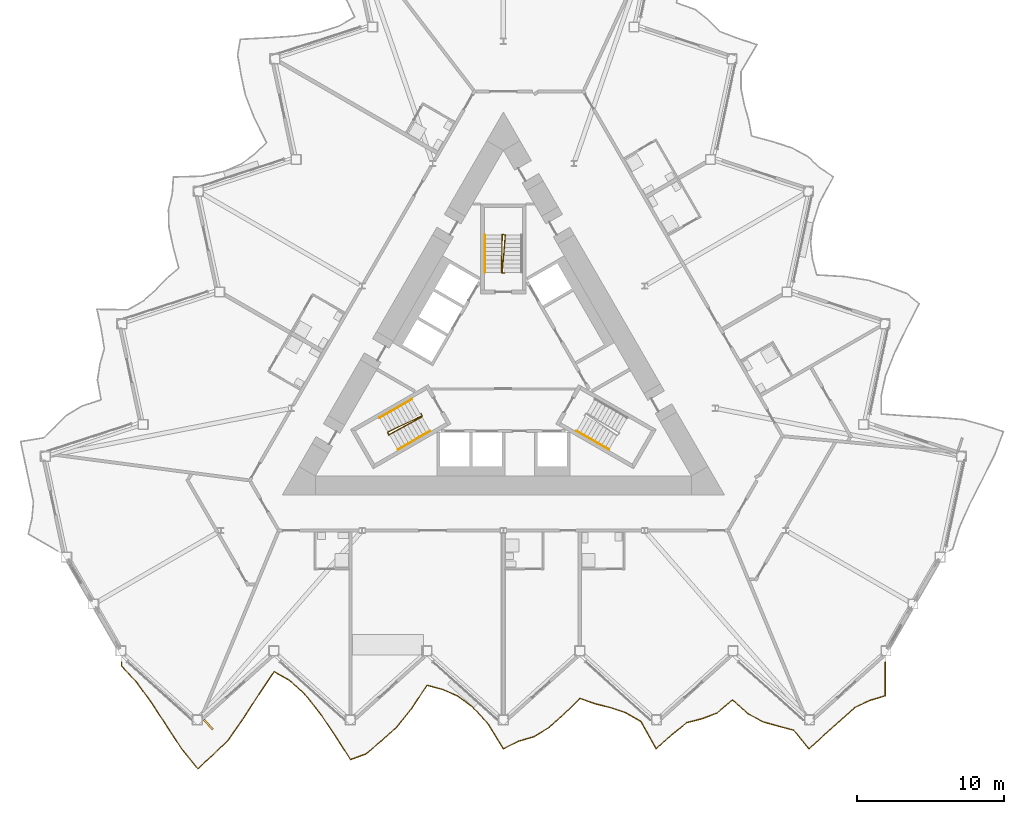
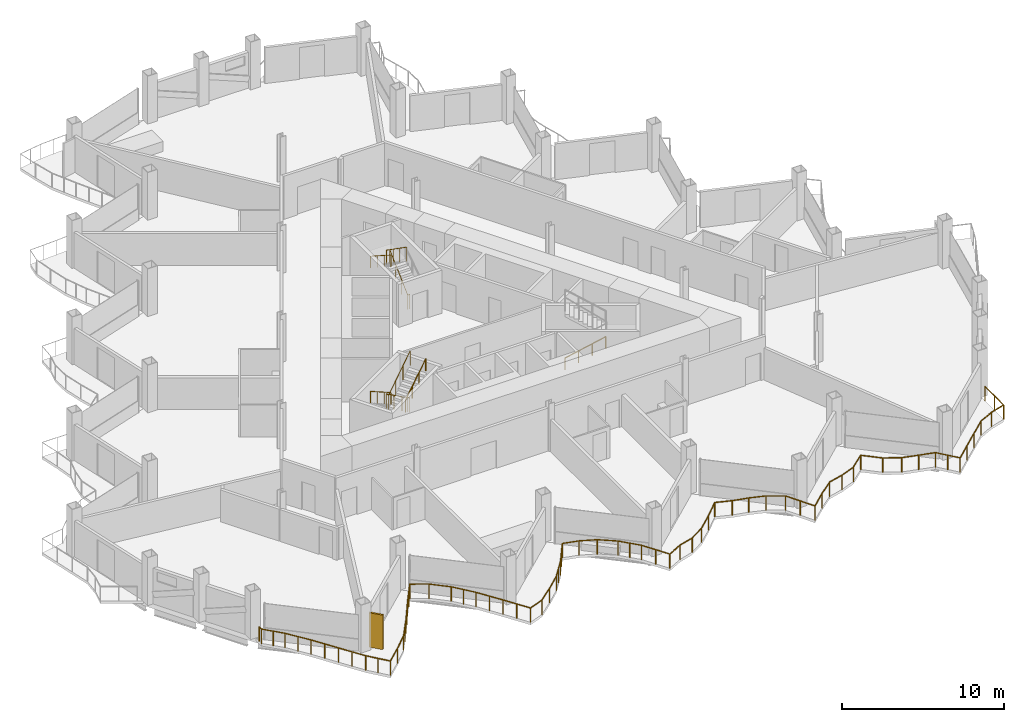
# One storey, part 19 of 23: 7 railings, 1 shading device.
"""IFC4 building model written with IfcOpenShell, lengths in metres."""

import ifcopenshell
import ifcopenshell.guid

model = None  # the IFC model being written
_history = None  # IfcOwnerHistory: only IFC2X3 demands one
_inside = {}  # id of a spatial element -> (the spatial element, [elements in it])
_under = {}  # id of a project, library or spatial element -> (it, [spatial elements below it])
_declared = {}  # id of a project -> (the project, [libraries it declares])
_typed = {}  # id of a type object -> (the type object, [elements of that type])
_made_of = {}  # id of a material, layer set ... -> (it, [elements and type objects made of it])


def new_model(schema):
    """Start an empty IFC model of exactly this schema.

    Asked for "IFC4X3", IfcOpenShell would pick the latest addendum, in which some entities
    have other attributes; the version numbers below select the first issue.
    IFC2X3 requires an IfcOwnerHistory on every rooted entity: one is made here for all.
    """
    global model, _history
    if schema == "IFC4X3":
        model = ifcopenshell.file(schema_version=(4, 3, 0, 0))
    else:
        model = ifcopenshell.file(schema=schema)
    _inside.clear()
    _under.clear()
    _declared.clear()
    _typed.clear()
    _made_of.clear()
    _history = None
    if model.schema == "IFC2X3":
        org = make("IfcOrganization", Name="unknown")
        user = make(
            "IfcPersonAndOrganization",
            ThePerson=make("IfcPerson", FamilyName="unknown"),
            TheOrganization=org,
        )
        app = make(
            "IfcApplication",
            ApplicationDeveloper=org,
            Version="unknown",
            ApplicationFullName="unknown",
            ApplicationIdentifier="unknown",
        )
        _history = make(
            "IfcOwnerHistory",
            OwningUser=user,
            OwningApplication=app,
            ChangeAction="ADDED",
            CreationDate=0,
        )
    return model


def make(cls, **values):
    """One entity of the class cls with the attributes given. An attribute that is None is left unset."""
    return model.create_entity(
        cls, **{name: value for name, value in values.items() if value is not None}
    )


def rooted(cls, **values):
    """An entity with a GlobalId (a new one), such as an element, a storey or a relation."""
    return make(cls, GlobalId=ifcopenshell.guid.new(), OwnerHistory=_history, **values)


def si_unit(unit_type, name, prefix=None):
    """IfcSIUnit, for example si_unit("LENGTHUNIT", "METRE", prefix="MILLI")."""
    return make("IfcSIUnit", UnitType=unit_type, Prefix=prefix, Name=name)


def assignment(units):
    """IfcUnitAssignment: the units of a project."""
    return None if units is None else make("IfcUnitAssignment", Units=units)


def point(xyz):
    """IfcCartesianPoint."""
    return None if xyz is None else make("IfcCartesianPoint", Coordinates=xyz)


def direction(xyz):
    """IfcDirection."""
    return None if xyz is None else make("IfcDirection", DirectionRatios=xyz)


def frame(location, z_axis=None, x_axis=None):
    """IfcAxis2Placement3D, a coordinate frame: its origin and axes. An axis left out is left unset."""
    return make(
        "IfcAxis2Placement3D",
        Location=point(location),
        Axis=direction(z_axis),
        RefDirection=direction(x_axis),
    )


def frame_2d(location, x_axis=None):
    """IfcAxis2Placement2D, a coordinate frame in the plane: its origin and x axis."""
    return make(
        "IfcAxis2Placement2D", Location=point(location), RefDirection=direction(x_axis)
    )


def origin():
    """The frame at (0, 0, 0) with its axes left unset."""
    return frame((0.0, 0.0, 0.0))


def origin_2d():
    """The frame at (0, 0) in the plane with its x axis left unset."""
    return frame_2d((0.0, 0.0))


def place(relative_to, where):
    """IfcLocalPlacement: puts the frame where relative to a parent placement (None: the world)."""
    return make(
        "IfcLocalPlacement", PlacementRelTo=relative_to, RelativePlacement=where
    )


def context(
    kind, dimensions, precision=None, world=None, true_north=None, identifier=None
):
    """IfcGeometricRepresentationContext, for example the 3D "Model" context."""
    return make(
        "IfcGeometricRepresentationContext",
        ContextIdentifier=identifier,
        ContextType=kind,
        CoordinateSpaceDimension=dimensions,
        Precision=precision,
        WorldCoordinateSystem=world,
        TrueNorth=true_north,
    )


def subcontext(parent, identifier, kind, view, scale=None):
    """IfcGeometricRepresentationSubContext, for example "Body" below "Model"."""
    return make(
        "IfcGeometricRepresentationSubContext",
        ContextIdentifier=identifier,
        ContextType=kind,
        ParentContext=parent,
        TargetScale=scale,
        TargetView=view,
    )


def project(units=None, contexts=None):
    """IfcProject with its units and contexts."""
    return rooted(
        "IfcProject",
        Name="project",
        RepresentationContexts=contexts,
        UnitsInContext=assignment(units),
    )


def spatial(cls, under=None, at=None, **own):
    """A site, building, storey or space (cls), placed at a placement, below another one or the project."""
    s = rooted(cls, ObjectPlacement=at, **own)
    if under is not None:
        _under.setdefault(under.id(), (under, []))[1].append(s)
    return s


def profile(cls, at=None, kind="AREA", **sizes):
    """A parametric profile (cls). Its sizes go by their IFC names, for example OverallWidth=200.0."""
    return make(cls, ProfileType=kind, Position=at, **sizes)


def rectangle(**sizes):
    """IfcRectangleProfileDef."""
    return profile("IfcRectangleProfileDef", **sizes)


def circle(**sizes):
    """IfcCircleProfileDef."""
    return profile("IfcCircleProfileDef", **sizes)


def extrude(swept, where, along, depth):
    """IfcExtrudedAreaSolid: the profile swept, set in the frame where, extruded along a direction by depth."""
    return make(
        "IfcExtrudedAreaSolid",
        SweptArea=swept,
        Position=where,
        ExtrudedDirection=direction(along),
        Depth=depth,
    )


def shape(context_of_items, identifier, shape_type, items):
    """IfcShapeRepresentation: the items that make up one representation, for example the "Body"."""
    return make(
        "IfcShapeRepresentation",
        ContextOfItems=context_of_items,
        RepresentationIdentifier=identifier,
        RepresentationType=shape_type,
        Items=items,
    )


def material(Name=None, Category=None):
    """IfcMaterial."""
    return make("IfcMaterial", Name=Name, Category=Category)


def layer(
    of_material, thickness, ventilated=None, Name=None, Category=None, Priority=None
):
    """IfcMaterialLayer: one layer of a wall or slab, of a material (None: an air gap)."""
    return make(
        "IfcMaterialLayer",
        Material=of_material,
        LayerThickness=thickness,
        IsVentilated=ventilated,
        Name=Name,
        Category=Category,
        Priority=Priority,
    )


def layer_set(layers, Name=None):
    """IfcMaterialLayerSet."""
    return make("IfcMaterialLayerSet", MaterialLayers=layers, LayerSetName=Name)


def made_of(thing, what):
    """Note that an element or type object is made of a material, layer set ...; save() writes the relation."""
    if what is not None:
        _made_of.setdefault(what.id(), (what, []))[1].append(thing)
    return thing


def type_object(cls, material=None, **own):
    """A type object (cls), such as IfcWallType, which elements share."""
    return made_of(rooted(cls, **own), material)


def element(
    cls,
    number,
    at=None,
    inside=None,
    cuts=None,
    type_object=None,
    material=None,
    context=None,
    identifier="Body",
    shape_type=None,
    held_by="IfcProductDefinitionShape",
    body=None,
    shapes=None,
    **own,
):
    """One element of the class cls, such as IfcWall. Its Tag is "e" and its number.

    at: its placement. inside: the storey or other place that contains it. cuts: it is an
    opening in that element (IfcRelVoidsElement). A single representation is given by context,
    identifier, shape_type and body (its items); several are given by shapes. held_by: the class
    of the entity that holds the representations. save() writes the other relations.
    """
    e = rooted(cls, Tag="e%d" % number, ObjectPlacement=at, **own)
    if body is not None:
        shapes = [shape(context, identifier, shape_type, body)]
    if shapes is not None:
        e.Representation = make(held_by, Representations=shapes)
    if inside is not None:
        _inside.setdefault(inside.id(), (inside, []))[1].append(e)
    if cuts is not None:
        rooted(
            "IfcRelVoidsElement", RelatingBuildingElement=cuts, RelatedOpeningElement=e
        )
    if type_object is not None:
        _typed.setdefault(type_object.id(), (type_object, []))[1].append(e)
    return made_of(e, material)


def aggregate(whole, parts):
    """IfcRelAggregates: a whole, such as a stair, and the parts it consists of."""
    return rooted("IfcRelAggregates", RelatingObject=whole, RelatedObjects=parts)


def save(model, path):
    """Write the relations noted so far, then the file.

    IfcRelAggregates (storeys below a building ...), IfcRelContainedInSpatialStructure (elements
    in a storey), IfcRelDefinesByType, IfcRelAssociatesMaterial and IfcRelDeclares: one each for
    every whole, place, type object, material and project.
    """
    for whole, parts in _under.values():
        aggregate(whole, parts)
    for where, things in _inside.values():
        rooted(
            "IfcRelContainedInSpatialStructure",
            RelatedElements=things,
            RelatingStructure=where,
        )
    for kind, things in _typed.values():
        rooted("IfcRelDefinesByType", RelatedObjects=things, RelatingType=kind)
    for what, things in _made_of.values():
        rooted("IfcRelAssociatesMaterial", RelatedObjects=things, RelatingMaterial=what)
    for by, libraries in _declared.values():
        rooted("IfcRelDeclares", RelatingContext=by, RelatedDefinitions=libraries)
    model.write(path)


model = new_model("IFC4")

# Units and contexts
model_context = context("Model", 3, precision=1e-05, world=origin(), true_north=direction((0.0, 1.0)))
body_context = subcontext(model_context, "Body", "Model", "MODEL_VIEW")
ifc_project = project(units=[si_unit("LENGTHUNIT", "METRE"), si_unit("AREAUNIT", "SQUARE_METRE"), si_unit("VOLUMEUNIT", "CUBIC_METRE"), si_unit("PLANEANGLEUNIT", "RADIAN"), si_unit("MASSUNIT", "GRAM", prefix="KILO")], contexts=[model_context])

# Site, building, storey
site_placement = place(None, origin())
site = spatial("IfcSite", under=ifc_project, at=site_placement, CompositionType="ELEMENT")
building_placement = place(site_placement, origin())
building = spatial("IfcBuilding", under=site, at=building_placement, Name="Cormorant Prow Tower", CompositionType="ELEMENT")
storey_placement = place(building_placement, frame((0.0, 0.0, 256.199951171875)))
storey = spatial("IfcBuildingStorey", under=building, at=storey_placement, Name="L57", CompositionType="ELEMENT", Elevation=256.199951171875)

# Railings
ifc_material_1 = material(Name="Aluminium 6063-T6", Category="aluminium")
railing_type_1 = type_object("IfcRailingType", Name="Balcony guard 1100", PredefinedType="GUARDRAIL", material=ifc_material_1)
railing_1_placement = place(storey_placement, frame((-25.8974609375, -19.973388671875, 0.0)))
element("IfcRailing", 1, at=railing_1_placement, inside=storey, type_object=railing_type_1, Name="Balcony guard S", PredefinedType="GUARDRAIL", context=body_context, shape_type="SweptSolid", body=[
    extrude(circle(Radius=0.02392578125, at=origin_2d()), frame((0.0, 0.0, 1.076171875), z_axis=(0.0, -1.0, 0.0), x_axis=(1.0, 0.0, 0.0)), (0.0, 0.0, 1.0), 0.27001953125),
    extrude(circle(Radius=0.02392578125, at=origin_2d()), frame((0.0, -0.27001953125, 1.076171875), z_axis=(0.680481856102, -0.732764930599, 0.0), x_axis=(0.732764930599, 0.680481856102, 0.0)), (0.0, 0.0, 1.0), 1.522216796875),
    extrude(circle(Radius=0.02392578125, at=origin_2d()), frame((1.035888671875, -1.385498046875, 1.076171875), z_axis=(0.587389439089, -0.809304421616, 0.0), x_axis=(0.809304421616, 0.587389439089, 0.0)), (0.0, 0.0, 1.0), 1.763427734375),
    extrude(circle(Radius=0.02392578125, at=origin_2d()), frame((2.07177734375, -2.812744140625, 1.076171875), z_axis=(0.544735618128, -0.838607838231, 0.0), x_axis=(0.838607838231, 0.544735618128, 0.0)), (0.0, 0.0, 1.0), 1.901611328125),
    extrude(circle(Radius=0.02392578125, at=origin_2d()), frame((3.107666015625, -4.407470703125, 1.076171875), z_axis=(0.551068360191, -0.83446010234, 0.0), x_axis=(0.83446010234, 0.551068360191, 0.0)), (0.0, 0.0, 1.0), 1.8798828125),
    extrude(circle(Radius=0.02392578125, at=origin_2d()), frame((4.1435546875, -5.97607421875, 1.076171875), z_axis=(0.635723007907, -0.771917260603, 0.0), x_axis=(0.771917260603, 0.635723007907, 0.0)), (0.0, 0.0, 1.0), 1.62939453125),
    extrude(circle(Radius=0.02392578125, at=origin_2d()), frame((5.179443359375, -7.23388671875, 1.076171875), z_axis=(0.743093821491, 0.669187247683, 0.0), x_axis=(-0.669187247683, 0.743093821491, 0.0)), (0.0, 0.0, 1.0), 1.39404296875),
    extrude(circle(Radius=0.02392578125, at=origin_2d()), frame((6.21533203125, -6.301025390625, 1.076171875), z_axis=(0.712963473906, 0.701201172899, 0.0), x_axis=(-0.701201172899, 0.712963473906, 0.0)), (0.0, 0.0, 1.0), 1.452880859375),
    extrude(circle(Radius=0.02392578125, at=origin_2d()), frame((7.251220703125, -5.2822265625, 1.076171875), z_axis=(0.571399825957, 0.820671821678, 0.0), x_axis=(-0.820671821678, 0.571399825957, 0.0)), (0.0, 0.0, 1.0), 1.81298828125),
    extrude(circle(Radius=0.02392578125, at=origin_2d()), frame((8.287109375, -3.79443359375, 1.076171875), z_axis=(0.541699329154, 0.840572326926, 0.0), x_axis=(-0.840572326926, 0.541699329154, 0.0)), (0.0, 0.0, 1.0), 1.912353515625),
    extrude(circle(Radius=0.02392578125, at=origin_2d()), frame((9.322998046875, -2.18701171875, 1.076171875), z_axis=(0.560754630421, 0.827982031484, 0.0), x_axis=(-0.827982031484, 0.560754630421, 0.0)), (0.0, 0.0, 1.0), 1.847412109375),
    extrude(circle(Radius=0.02392578125, at=origin_2d()), frame((10.35888671875, -0.657470703125, 1.076171875), z_axis=(0.869702561761, -0.493576188715, 0.0), x_axis=(0.493576188715, 0.869702561761, 0.0)), (0.0, 0.0, 1.0), 1.191162109375),
    extrude(circle(Radius=0.02392578125, at=origin_2d()), frame((11.394775390625, -1.245361328125, 1.076171875), z_axis=(0.740224191917, -0.672360130957, 0.0), x_axis=(0.672360130957, 0.740224191917, 0.0)), (0.0, 0.0, 1.0), 1.3994140625),
    extrude(circle(Radius=0.02392578125, at=origin_2d()), frame((12.4306640625, -2.186279296875, 1.076171875), z_axis=(0.625755603892, -0.780019181943, 0.0), x_axis=(0.780019181943, 0.625755603892, 0.0)), (0.0, 0.0, 1.0), 1.655517578125),
    extrude(circle(Radius=0.02392578125, at=origin_2d()), frame((13.466552734375, -3.4775390625, 1.076171875), z_axis=(0.558918446338, -0.829222630144, 0.0), x_axis=(0.829222630144, 0.558918446338, 0.0)), (0.0, 0.0, 1.0), 1.853271484375),
    extrude(circle(Radius=0.02392578125, at=origin_2d()), frame((14.50244140625, -5.014404296875, 1.076171875), z_axis=(0.542080319834, -0.840326678649, 0.0), x_axis=(0.840326678649, 0.542080319834, 0.0)), (0.0, 0.0, 1.0), 1.911376953125),
    extrude(circle(Radius=0.02392578125, at=origin_2d()), frame((15.53857421875, -6.62060546875, 1.076171875), z_axis=(0.936773013032, 0.349937597373, 0.0), x_axis=(-0.349937597373, 0.936773013032, 0.0)), (0.0, 0.0, 1.0), 1.105712890625),
    extrude(circle(Radius=0.02392578125, at=origin_2d()), frame((16.574462890625, -6.233642578125, 1.076171875), z_axis=(0.767494280324, 0.641055792946, 0.0), x_axis=(-0.641055792946, 0.767494280324, 0.0)), (0.0, 0.0, 1.0), 1.349609375),
    extrude(circle(Radius=0.02392578125, at=origin_2d()), frame((17.6103515625, -5.368408203125, 1.076171875), z_axis=(0.743093821491, 0.669187247683, 0.0), x_axis=(-0.669187247683, 0.743093821491, 0.0)), (0.0, 0.0, 1.0), 1.39404296875),
    extrude(circle(Radius=0.02392578125, at=origin_2d()), frame((18.646240234375, -4.435546875, 1.076171875), z_axis=(0.6284991437, 0.77781027659, 0.0), x_axis=(-0.77781027659, 0.6284991437, 0.0)), (0.0, 0.0, 1.0), 1.648193359375),
    extrude(circle(Radius=0.02392578125, at=origin_2d()), frame((19.68212890625, -3.153564453125, 1.076171875), z_axis=(0.549756895545, 0.83532470082, 0.0), x_axis=(-0.83532470082, 0.549756895545, 0.0)), (0.0, 0.0, 1.0), 1.88427734375),
    extrude(circle(Radius=0.02392578125, at=origin_2d()), frame((20.718017578125, -1.57958984375, 1.076171875), z_axis=(0.966713515695, -0.255861248674, 0.0), x_axis=(0.255861248674, 0.966713515695, 0.0)), (0.0, 0.0, 1.0), 1.071533203125),
    extrude(circle(Radius=0.02392578125, at=origin_2d()), frame((21.75390625, -1.853759765625, 1.076171875), z_axis=(0.917447781883, -0.397856214628, 0.0), x_axis=(0.397856214628, 0.917447781883, 0.0)), (0.0, 0.0, 1.0), 1.129150390625),
    extrude(circle(Radius=0.02392578125, at=origin_2d()), frame((22.789794921875, -2.302978515625, 1.076171875), z_axis=(0.804187958149, -0.594375073475, 0.0), x_axis=(0.594375073475, 0.804187958149, 0.0)), (0.0, 0.0, 1.0), 1.2880859375),
    extrude(circle(Radius=0.02392578125, at=origin_2d()), frame((23.82568359375, -3.068603515625, 1.076171875), z_axis=(0.675465068493, -0.737391986155, 0.0), x_axis=(0.737391986155, 0.675465068493, 0.0)), (0.0, 0.0, 1.0), 1.53369140625),
    extrude(circle(Radius=0.02392578125, at=origin_2d()), frame((24.861572265625, -4.199462890625, 1.076171875), z_axis=(0.523870079516, -0.851798180198, 0.0), x_axis=(0.851798180198, 0.523870079516, 0.0)), (0.0, 0.0, 1.0), 1.977294921875),
    extrude(circle(Radius=0.02392578125, at=origin_2d()), frame((25.8974609375, -5.8837890625, 1.076171875), z_axis=(0.895816294336, 0.444424534428, 0.0), x_axis=(-0.444424534428, 0.895816294336, 0.0)), (0.0, 0.0, 1.0), 1.15625),
    extrude(circle(Radius=0.02392578125, at=origin_2d()), frame((26.933349609375, -5.369873046875, 1.076171875), z_axis=(0.959911268083, 0.28030404458, 0.0), x_axis=(-0.28030404458, 0.959911268083, 0.0)), (0.0, 0.0, 1.0), 1.0791015625),
    extrude(circle(Radius=0.02392578125, at=origin_2d()), frame((27.96923828125, -5.0673828125, 1.076171875), z_axis=(0.853724183098, 0.520725473924, 0.0), x_axis=(-0.520725473924, 0.853724183098, 0.0)), (0.0, 0.0, 1.0), 1.21337890625),
    extrude(circle(Radius=0.02392578125, at=origin_2d()), frame((29.005126953125, -4.435546875, 1.076171875), z_axis=(0.743180914128, 0.669090523678, 0.0), x_axis=(-0.669090523678, 0.743180914128, 0.0)), (0.0, 0.0, 1.0), 1.393798828125),
    extrude(circle(Radius=0.02392578125, at=origin_2d()), frame((30.041015625, -3.5029296875, 1.076171875), z_axis=(0.7063572428, 0.707855525898, 0.0), x_axis=(-0.707855525898, 0.7063572428, 0.0)), (0.0, 0.0, 1.0), 1.466552734375),
    extrude(circle(Radius=0.02392578125, at=origin_2d()), frame((31.076904296875, -2.46484375, 1.076171875), z_axis=(0.94211808637, -0.335281242145, 0.0), x_axis=(0.335281242145, 0.94211808637, 0.0)), (0.0, 0.0, 1.0), 1.099609375),
    extrude(circle(Radius=0.02392578125, at=origin_2d()), frame((32.11279296875, -2.83349609375, 1.076171875), z_axis=(0.970504690177, -0.241082239794, 0.0), x_axis=(0.241082239794, 0.970504690177, 0.0)), (0.0, 0.0, 1.0), 1.0673828125),
    extrude(circle(Radius=0.02392578125, at=origin_2d()), frame((33.148681640625, -3.0908203125, 1.076171875), z_axis=(0.949174297029, -0.314750939411, 0.0), x_axis=(0.314750939411, 0.949174297029, 0.0)), (0.0, 0.0, 1.0), 1.09130859375),
    extrude(circle(Radius=0.02392578125, at=origin_2d()), frame((34.1845703125, -3.434326171875, 1.076171875), z_axis=(0.864583362877, -0.502489411467, 0.0), x_axis=(0.502489411467, 0.864583362877, 0.0)), (0.0, 0.0, 1.0), 1.1982421875),
    extrude(circle(Radius=0.02392578125, at=origin_2d()), frame((35.220458984375, -4.036376953125, 1.076171875), z_axis=(0.489084165063, -0.872236596048, 0.0), x_axis=(0.872236596048, 0.489084165063, 0.0)), (0.0, 0.0, 1.0), 2.117919921875),
    extrude(circle(Radius=0.02392578125, at=origin_2d()), frame((36.25634765625, -5.8837890625, 1.076171875), z_axis=(0.743172233243, 0.669100165698, 0.0), x_axis=(-0.669100165698, 0.743172233243, 0.0)), (0.0, 0.0, 1.0), 1.394287109375),
    extrude(circle(Radius=0.02392578125, at=origin_2d()), frame((37.29248046875, -4.950927734375, 1.076171875), z_axis=(0.776779953516, 0.629772104666, 0.0), x_axis=(-0.629772104666, 0.776779953516, 0.0)), (0.0, 0.0, 1.0), 1.33349609375),
    extrude(circle(Radius=0.02392578125, at=origin_2d()), frame((38.328369140625, -4.111083984375, 1.076171875), z_axis=(0.969697239778, 0.244309768872, 0.0), x_axis=(-0.244309768872, 0.969697239778, 0.0)), (0.0, 0.0, 1.0), 1.068359375),
    extrude(circle(Radius=0.02392578125, at=origin_2d()), frame((39.3642578125, -3.85009765625, 1.076171875), z_axis=(0.933928683632, 0.357459387749, 0.0), x_axis=(-0.357459387749, 0.933928683632, 0.0)), (0.0, 0.0, 1.0), 1.109130859375),
    extrude(circle(Radius=0.02392578125, at=origin_2d()), frame((40.400146484375, -3.45361328125, 1.076171875), z_axis=(0.760836555937, 0.648943553131, 0.0), x_axis=(-0.648943553131, 0.760836555937, 0.0)), (0.0, 0.0, 1.0), 1.361572265625),
    extrude(circle(Radius=0.02392578125, at=origin_2d()), frame((41.43603515625, -2.570068359375, 1.076171875), z_axis=(0.743093821491, -0.669187247683, 0.0), x_axis=(0.669187247683, 0.743093821491, 0.0)), (0.0, 0.0, 1.0), 1.39404296875),
    extrude(circle(Radius=0.02392578125, at=origin_2d()), frame((42.471923828125, -3.5029296875, 1.076171875), z_axis=(0.880271170731, -0.474470932703, 0.0), x_axis=(0.474470932703, 0.880271170731, 0.0)), (0.0, 0.0, 1.0), 1.1767578125),
    extrude(circle(Radius=0.02392578125, at=origin_2d()), frame((43.5078125, -4.061279296875, 1.076171875), z_axis=(0.963787522925, -0.266671353268, 0.0), x_axis=(0.266671353268, 0.963787522925, 0.0)), (0.0, 0.0, 1.0), 1.07470703125),
    extrude(circle(Radius=0.02392578125, at=origin_2d()), frame((44.543701171875, -4.347900390625, 1.076171875), z_axis=(0.965806701137, -0.259263217675, 0.0), x_axis=(0.259263217675, 0.965806701137, 0.0)), (0.0, 0.0, 1.0), 1.072509765625),
    extrude(circle(Radius=0.02392578125, at=origin_2d()), frame((45.57958984375, -4.6259765625, 1.076171875), z_axis=(0.635723007907, -0.771917260603, 0.0), x_axis=(0.771917260603, 0.635723007907, 0.0)), (0.0, 0.0, 1.0), 1.62939453125),
    extrude(circle(Radius=0.02392578125, at=origin_2d()), frame((46.615478515625, -5.8837890625, 1.076171875), z_axis=(0.743093821491, 0.669187247683, 0.0), x_axis=(-0.669187247683, 0.743093821491, 0.0)), (0.0, 0.0, 1.0), 1.39404296875),
    extrude(circle(Radius=0.02392578125, at=origin_2d()), frame((47.6513671875, -4.950927734375, 1.076171875), z_axis=(0.743180914128, 0.669090523678, 0.0), x_axis=(-0.669090523678, 0.743180914128, 0.0)), (0.0, 0.0, 1.0), 1.393798828125),
    extrude(circle(Radius=0.02392578125, at=origin_2d()), frame((48.687255859375, -4.018310546875, 1.076171875), z_axis=(0.743180914128, 0.669090523678, 0.0), x_axis=(-0.669090523678, 0.743180914128, 0.0)), (0.0, 0.0, 1.0), 1.393798828125),
    extrude(circle(Radius=0.02392578125, at=origin_2d()), frame((49.72314453125, -3.085693359375, 1.076171875), z_axis=(0.90586107613, 0.423574917521, 0.0), x_axis=(-0.423574917521, 0.90586107613, 0.0)), (0.0, 0.0, 1.0), 1.1435546875),
    extrude(circle(Radius=0.02392578125, at=origin_2d()), frame((50.759033203125, -2.601318359375, 1.076171875), z_axis=(0.958439578878, 0.285295589942, 0.0), x_axis=(-0.285295589942, 0.958439578878, 0.0)), (0.0, 0.0, 1.0), 1.080810546875),
    extrude(circle(Radius=0.02392578125, at=origin_2d()), frame((51.794921875, -2.29296875, 1.076171875), z_axis=(0.0, 1.0, 0.0), x_axis=(-1.0, 0.0, 0.0)), (0.0, 0.0, 1.0), 2.29296875),
    extrude(circle(Radius=0.02099609375, at=origin_2d()), origin(), (0.0, 0.0, 1.0), 1.052001953125),
    extrude(circle(Radius=0.02099609375, at=origin_2d()), frame((0.0, -0.27001953125, 0.0)), (0.0, 0.0, 1.0), 1.052001953125),
    extrude(circle(Radius=0.02099609375, at=origin_2d()), frame((0.51806640625, -0.82763671875, 0.0)), (0.0, 0.0, 1.0), 1.052001953125),
    extrude(circle(Radius=0.02099609375, at=origin_2d()), frame((1.035888671875, -1.385498046875, 0.0)), (0.0, 0.0, 1.0), 1.052001953125),
    extrude(circle(Radius=0.02099609375, at=origin_2d()), frame((1.5537109375, -2.09912109375, 0.0)), (0.0, 0.0, 1.0), 1.052001953125),
    extrude(circle(Radius=0.02099609375, at=origin_2d()), frame((2.07177734375, -2.812744140625, 0.0)), (0.0, 0.0, 1.0), 1.052001953125),
    extrude(circle(Radius=0.02099609375, at=origin_2d()), frame((2.58984375, -3.610107421875, 0.0)), (0.0, 0.0, 1.0), 1.052001953125),
    extrude(circle(Radius=0.02099609375, at=origin_2d()), frame((3.107666015625, -4.407470703125, 0.0)), (0.0, 0.0, 1.0), 1.052001953125),
    extrude(circle(Radius=0.02099609375, at=origin_2d()), frame((3.62548828125, -5.19189453125, 0.0)), (0.0, 0.0, 1.0), 1.052001953125),
    extrude(circle(Radius=0.02099609375, at=origin_2d()), frame((4.1435546875, -5.97607421875, 0.0)), (0.0, 0.0, 1.0), 1.052001953125),
    extrude(circle(Radius=0.02099609375, at=origin_2d()), frame((4.66162109375, -6.60498046875, 0.0)), (0.0, 0.0, 1.0), 1.052001953125),
    extrude(circle(Radius=0.02099609375, at=origin_2d()), frame((5.179443359375, -7.23388671875, 0.0)), (0.0, 0.0, 1.0), 1.052001953125),
    extrude(circle(Radius=0.02099609375, at=origin_2d()), frame((6.21533203125, -6.301025390625, 0.0)), (0.0, 0.0, 1.0), 1.052001953125),
    extrude(circle(Radius=0.02099609375, at=origin_2d()), frame((7.251220703125, -5.2822265625, 0.0)), (0.0, 0.0, 1.0), 1.052001953125),
    extrude(circle(Radius=0.02099609375, at=origin_2d()), frame((7.76904296875, -4.538330078125, 0.0)), (0.0, 0.0, 1.0), 1.052001953125),
    extrude(circle(Radius=0.02099609375, at=origin_2d()), frame((8.287109375, -3.79443359375, 0.0)), (0.0, 0.0, 1.0), 1.052001953125),
    extrude(circle(Radius=0.02099609375, at=origin_2d()), frame((8.80517578125, -2.99072265625, 0.0)), (0.0, 0.0, 1.0), 1.052001953125),
    extrude(circle(Radius=0.02099609375, at=origin_2d()), frame((9.322998046875, -2.18701171875, 0.0)), (0.0, 0.0, 1.0), 1.052001953125),
    extrude(circle(Radius=0.02099609375, at=origin_2d()), frame((9.8408203125, -1.42236328125, 0.0)), (0.0, 0.0, 1.0), 1.052001953125),
    extrude(circle(Radius=0.02099609375, at=origin_2d()), frame((10.35888671875, -0.657470703125, 0.0)), (0.0, 0.0, 1.0), 1.052001953125),
    extrude(circle(Radius=0.02099609375, at=origin_2d()), frame((11.394775390625, -1.245361328125, 0.0)), (0.0, 0.0, 1.0), 1.052001953125),
    extrude(circle(Radius=0.02099609375, at=origin_2d()), frame((12.4306640625, -2.186279296875, 0.0)), (0.0, 0.0, 1.0), 1.052001953125),
    extrude(circle(Radius=0.02099609375, at=origin_2d()), frame((12.94873046875, -2.83203125, 0.0)), (0.0, 0.0, 1.0), 1.052001953125),
    extrude(circle(Radius=0.02099609375, at=origin_2d()), frame((13.466552734375, -3.4775390625, 0.0)), (0.0, 0.0, 1.0), 1.052001953125),
    extrude(circle(Radius=0.02099609375, at=origin_2d()), frame((13.984375, -4.24609375, 0.0)), (0.0, 0.0, 1.0), 1.052001953125),
    extrude(circle(Radius=0.02099609375, at=origin_2d()), frame((14.50244140625, -5.014404296875, 0.0)), (0.0, 0.0, 1.0), 1.052001953125),
    extrude(circle(Radius=0.02099609375, at=origin_2d()), frame((15.0205078125, -5.8173828125, 0.0)), (0.0, 0.0, 1.0), 1.052001953125),
    extrude(circle(Radius=0.02099609375, at=origin_2d()), frame((15.53857421875, -6.62060546875, 0.0)), (0.0, 0.0, 1.0), 1.052001953125),
    extrude(circle(Radius=0.02099609375, at=origin_2d()), frame((16.574462890625, -6.233642578125, 0.0)), (0.0, 0.0, 1.0), 1.052001953125),
    extrude(circle(Radius=0.02099609375, at=origin_2d()), frame((17.6103515625, -5.368408203125, 0.0)), (0.0, 0.0, 1.0), 1.052001953125),
    extrude(circle(Radius=0.02099609375, at=origin_2d()), frame((18.646240234375, -4.435546875, 0.0)), (0.0, 0.0, 1.0), 1.052001953125),
    extrude(circle(Radius=0.02099609375, at=origin_2d()), frame((19.1640625, -3.79443359375, 0.0)), (0.0, 0.0, 1.0), 1.052001953125),
    extrude(circle(Radius=0.02099609375, at=origin_2d()), frame((19.68212890625, -3.153564453125, 0.0)), (0.0, 0.0, 1.0), 1.052001953125),
    extrude(circle(Radius=0.02099609375, at=origin_2d()), frame((20.2001953125, -2.36669921875, 0.0)), (0.0, 0.0, 1.0), 1.052001953125),
    extrude(circle(Radius=0.02099609375, at=origin_2d()), frame((20.718017578125, -1.57958984375, 0.0)), (0.0, 0.0, 1.0), 1.052001953125),
    extrude(circle(Radius=0.02099609375, at=origin_2d()), frame((21.75390625, -1.853759765625, 0.0)), (0.0, 0.0, 1.0), 1.052001953125),
    extrude(circle(Radius=0.02099609375, at=origin_2d()), frame((22.789794921875, -2.302978515625, 0.0)), (0.0, 0.0, 1.0), 1.052001953125),
    extrude(circle(Radius=0.02099609375, at=origin_2d()), frame((23.82568359375, -3.068603515625, 0.0)), (0.0, 0.0, 1.0), 1.052001953125),
    extrude(circle(Radius=0.02099609375, at=origin_2d()), frame((24.34375, -3.634033203125, 0.0)), (0.0, 0.0, 1.0), 1.052001953125),
    extrude(circle(Radius=0.02099609375, at=origin_2d()), frame((24.861572265625, -4.199462890625, 0.0)), (0.0, 0.0, 1.0), 1.052001953125),
    extrude(circle(Radius=0.02099609375, at=origin_2d()), frame((25.37939453125, -5.04150390625, 0.0)), (0.0, 0.0, 1.0), 1.052001953125),
    extrude(circle(Radius=0.02099609375, at=origin_2d()), frame((25.8974609375, -5.8837890625, 0.0)), (0.0, 0.0, 1.0), 1.052001953125),
    extrude(circle(Radius=0.02099609375, at=origin_2d()), frame((26.933349609375, -5.369873046875, 0.0)), (0.0, 0.0, 1.0), 1.052001953125),
    extrude(circle(Radius=0.02099609375, at=origin_2d()), frame((27.96923828125, -5.0673828125, 0.0)), (0.0, 0.0, 1.0), 1.052001953125),
    extrude(circle(Radius=0.02099609375, at=origin_2d()), frame((29.005126953125, -4.435546875, 0.0)), (0.0, 0.0, 1.0), 1.052001953125),
    extrude(circle(Radius=0.02099609375, at=origin_2d()), frame((30.041015625, -3.5029296875, 0.0)), (0.0, 0.0, 1.0), 1.052001953125),
    extrude(circle(Radius=0.02099609375, at=origin_2d()), frame((31.076904296875, -2.46484375, 0.0)), (0.0, 0.0, 1.0), 1.052001953125),
    extrude(circle(Radius=0.02099609375, at=origin_2d()), frame((32.11279296875, -2.83349609375, 0.0)), (0.0, 0.0, 1.0), 1.052001953125),
    extrude(circle(Radius=0.02099609375, at=origin_2d()), frame((33.148681640625, -3.0908203125, 0.0)), (0.0, 0.0, 1.0), 1.052001953125),
    extrude(circle(Radius=0.02099609375, at=origin_2d()), frame((34.1845703125, -3.434326171875, 0.0)), (0.0, 0.0, 1.0), 1.052001953125),
    extrude(circle(Radius=0.02099609375, at=origin_2d()), frame((35.220458984375, -4.036376953125, 0.0)), (0.0, 0.0, 1.0), 1.052001953125),
    extrude(circle(Radius=0.02099609375, at=origin_2d()), frame((35.73828125, -4.9599609375, 0.0)), (0.0, 0.0, 1.0), 1.052001953125),
    extrude(circle(Radius=0.02099609375, at=origin_2d()), frame((36.25634765625, -5.8837890625, 0.0)), (0.0, 0.0, 1.0), 1.052001953125),
    extrude(circle(Radius=0.02099609375, at=origin_2d()), frame((37.29248046875, -4.950927734375, 0.0)), (0.0, 0.0, 1.0), 1.052001953125),
    extrude(circle(Radius=0.02099609375, at=origin_2d()), frame((38.328369140625, -4.111083984375, 0.0)), (0.0, 0.0, 1.0), 1.052001953125),
    extrude(circle(Radius=0.02099609375, at=origin_2d()), frame((39.3642578125, -3.85009765625, 0.0)), (0.0, 0.0, 1.0), 1.052001953125),
    extrude(circle(Radius=0.02099609375, at=origin_2d()), frame((40.400146484375, -3.45361328125, 0.0)), (0.0, 0.0, 1.0), 1.052001953125),
    extrude(circle(Radius=0.02099609375, at=origin_2d()), frame((41.43603515625, -2.570068359375, 0.0)), (0.0, 0.0, 1.0), 1.052001953125),
    extrude(circle(Radius=0.02099609375, at=origin_2d()), frame((42.471923828125, -3.5029296875, 0.0)), (0.0, 0.0, 1.0), 1.052001953125),
    extrude(circle(Radius=0.02099609375, at=origin_2d()), frame((43.5078125, -4.061279296875, 0.0)), (0.0, 0.0, 1.0), 1.052001953125),
    extrude(circle(Radius=0.02099609375, at=origin_2d()), frame((44.543701171875, -4.347900390625, 0.0)), (0.0, 0.0, 1.0), 1.052001953125),
    extrude(circle(Radius=0.02099609375, at=origin_2d()), frame((45.57958984375, -4.6259765625, 0.0)), (0.0, 0.0, 1.0), 1.052001953125),
    extrude(circle(Radius=0.02099609375, at=origin_2d()), frame((46.09765625, -5.2548828125, 0.0)), (0.0, 0.0, 1.0), 1.052001953125),
    extrude(circle(Radius=0.02099609375, at=origin_2d()), frame((46.615478515625, -5.8837890625, 0.0)), (0.0, 0.0, 1.0), 1.052001953125),
    extrude(circle(Radius=0.02099609375, at=origin_2d()), frame((47.6513671875, -4.950927734375, 0.0)), (0.0, 0.0, 1.0), 1.052001953125),
    extrude(circle(Radius=0.02099609375, at=origin_2d()), frame((48.687255859375, -4.018310546875, 0.0)), (0.0, 0.0, 1.0), 1.052001953125),
    extrude(circle(Radius=0.02099609375, at=origin_2d()), frame((49.72314453125, -3.085693359375, 0.0)), (0.0, 0.0, 1.0), 1.052001953125),
    extrude(circle(Radius=0.02099609375, at=origin_2d()), frame((50.759033203125, -2.601318359375, 0.0)), (0.0, 0.0, 1.0), 1.052001953125),
    extrude(circle(Radius=0.02099609375, at=origin_2d()), frame((51.794921875, -2.29296875, 0.0)), (0.0, 0.0, 1.0), 1.052001953125),
    extrude(circle(Radius=0.02099609375, at=origin_2d()), frame((51.794921875, -1.146484375, 0.0)), (0.0, 0.0, 1.0), 1.052001953125),
    extrude(circle(Radius=0.02099609375, at=origin_2d()), frame((51.794921875, 0.0, 0.0)), (0.0, 0.0, 1.0), 1.052001953125),
])
ifc_material_2 = material(Name="Stainless steel", Category="steel")
railing_type_2 = type_object("IfcRailingType", Name="Stair guard 1100", PredefinedType="GUARDRAIL", material=ifc_material_2)
railing_2_placement = place(storey_placement, frame((-5.585205078125, -3.137939453125, 0.0)))
element("IfcRailing", 2, at=railing_2_placement, inside=storey, type_object=railing_type_2, Name="L57 ST1 stair guard 1", PredefinedType="GUARDRAIL", context=body_context, shape_type="SweptSolid", body=[
    extrude(circle(Radius=0.02392578125, at=origin_2d()), frame((0.0, 0.0, 1.076171875), z_axis=(0.501036270542, -0.865426285481, 0.0), x_axis=(0.865426285481, 0.501036270542, 0.0)), (0.0, 0.0, 1.0), 0.150146484375),
    extrude(circle(Radius=0.02392578125, at=origin_2d()), frame((0.0751953125, -0.1298828125, 1.076171875), z_axis=(-0.739707038506, -0.353624380995, 0.572523619033), x_axis=(0.431308035802, -0.902204731895, 0.0)), (0.0, 0.0, 1.0), 3.14404296875),
    extrude(circle(Radius=0.02392578125, at=origin_2d()), frame((-2.25048828125, -1.24169921875, 2.8759765625), z_axis=(0.274721127897, -0.961523947641, 0.0), x_axis=(0.961523947641, 0.274721127897, 0.0)), (0.0, 0.0, 1.0), 0.2060546875),
    extrude(circle(Radius=0.02392578125, at=origin_2d()), frame((-2.19384765625, -1.43994140625, 2.8759765625), z_axis=(0.717223475266, 0.39568267656, 0.573607623727), x_axis=(-0.483052234887, 0.87559153626, 0.0)), (0.0, 0.0, 1.0), 3.13818359375),
    extrude(circle(Radius=0.02099609375, at=origin_2d()), origin(), (0.0, 0.0, 1.0), 1.052001953125),
    extrude(circle(Radius=0.02099609375, at=origin_2d()), frame((0.0751953125, -0.1298828125, 0.0)), (0.0, 0.0, 1.0), 1.052001953125),
    extrude(circle(Radius=0.02099609375, at=origin_2d()), frame((-0.699951171875, -0.50048828125, 0.60009765625)), (0.0, 0.0, 1.0), 1.052001953125),
    extrude(circle(Radius=0.02099609375, at=origin_2d()), frame((-1.475341796875, -0.87109375, 1.199951171875)), (0.0, 0.0, 1.0), 1.052001953125),
    extrude(circle(Radius=0.02099609375, at=origin_2d()), frame((-2.25048828125, -1.24169921875, 1.800048828125)), (0.0, 0.0, 1.0), 1.052001953125),
    extrude(circle(Radius=0.02099609375, at=origin_2d()), frame((-2.19384765625, -1.43994140625, 1.800048828125)), (0.0, 0.0, 1.0), 1.052001953125),
    extrude(circle(Radius=0.02099609375, at=origin_2d()), frame((-1.443603515625, -1.026123046875, 2.400146484375)), (0.0, 0.0, 1.0), 1.052001953125),
    extrude(circle(Radius=0.02099609375, at=origin_2d()), frame((-0.693359375, -0.612060546875, 3.0)), (0.0, 0.0, 1.0), 1.052001953125),
    extrude(circle(Radius=0.02099609375, at=origin_2d()), frame((0.056884765625, -0.1982421875, 3.60009765625)), (0.0, 0.0, 1.0), 1.052001953125),
])
railing_3_placement = place(storey_placement, frame((0.074951171875, 6.40576171875, 0.0)))
element("IfcRailing", 3, at=railing_3_placement, inside=storey, type_object=railing_type_2, Name="L57 ST3 stair guard 1", PredefinedType="GUARDRAIL", context=body_context, shape_type="SweptSolid", body=[
    extrude(circle(Radius=0.02392578125, at=origin_2d()), frame((0.0, 0.0, 1.076171875), z_axis=(-1.0, 0.0, 0.0), x_axis=(0.0, -1.0, 0.0)), (0.0, 0.0, 1.0), 0.14990234375),
    extrude(circle(Radius=0.02392578125, at=origin_2d()), frame((-0.14990234375, 0.0, 1.076171875), z_axis=(0.063595540489, 0.817423998443, 0.572515164864), x_axis=(-0.996987254287, 0.077565551559, 0.0)), (0.0, 0.0, 1.0), 3.14404296875),
    extrude(circle(Radius=0.02392578125, at=origin_2d()), frame((0.050048828125, 2.570068359375, 2.8759765625), z_axis=(-0.970072785993, 0.242814311512, 0.0), x_axis=(-0.242814311512, -0.970072785993, 0.0)), (0.0, 0.0, 1.0), 0.2060546875),
    extrude(circle(Radius=0.02392578125, at=origin_2d()), frame((-0.14990234375, 2.6201171875, 2.8759765625), z_axis=(-0.01594855688, -0.818977845239, 0.573603462805), x_axis=(0.999810440751, -0.019470042781, 0.0)), (0.0, 0.0, 1.0), 3.13818359375),
    extrude(circle(Radius=0.02099609375, at=origin_2d()), origin(), (0.0, 0.0, 1.0), 1.052001953125),
    extrude(circle(Radius=0.02099609375, at=origin_2d()), frame((-0.14990234375, 0.0, 0.0)), (0.0, 0.0, 1.0), 1.052001953125),
    extrude(circle(Radius=0.02099609375, at=origin_2d()), frame((-0.083251953125, 0.856689453125, 0.60009765625)), (0.0, 0.0, 1.0), 1.052001953125),
    extrude(circle(Radius=0.02099609375, at=origin_2d()), frame((-0.0166015625, 1.71337890625, 1.199951171875)), (0.0, 0.0, 1.0), 1.052001953125),
    extrude(circle(Radius=0.02099609375, at=origin_2d()), frame((0.050048828125, 2.570068359375, 1.800048828125)), (0.0, 0.0, 1.0), 1.052001953125),
    extrude(circle(Radius=0.02099609375, at=origin_2d()), frame((-0.14990234375, 2.6201171875, 1.800048828125)), (0.0, 0.0, 1.0), 1.052001953125),
    extrude(circle(Radius=0.02099609375, at=origin_2d()), frame((-0.16650390625, 1.763427734375, 2.400146484375)), (0.0, 0.0, 1.0), 1.052001953125),
    extrude(circle(Radius=0.02099609375, at=origin_2d()), frame((-0.183349609375, 0.90673828125, 3.0)), (0.0, 0.0, 1.0), 1.052001953125),
    extrude(circle(Radius=0.02099609375, at=origin_2d()), frame((-0.199951171875, 0.050048828125, 3.60009765625)), (0.0, 0.0, 1.0), 1.052001953125),
])
ifc_material_3 = material(Name="Stainless steel", Category="steel")
railing_type_3 = type_object("IfcRailingType", Name="Stair handrail 900", PredefinedType="HANDRAIL", material=ifc_material_3)
railing_4_placement = place(storey_placement, frame((-6.212890625, -2.150634765625, 0.179931640625)))
element("IfcRailing", 4, at=railing_4_placement, inside=storey, type_object=railing_type_3, Name="L57 ST1 stair handrail 1", PredefinedType="HANDRAIL", context=body_context, shape_type="SweptSolid", body=[
    extrude(circle(Radius=0.02392578125, at=origin_2d()), frame((0.0, 0.0, 0.8759765625), z_axis=(-0.728463801763, -0.420584145978, 0.540785970299), x_axis=(0.500004791531, -0.866022637375, 0.0)), (0.0, 0.0, 1.0), 2.995849609375),
    extrude(circle(Radius=0.02099609375, at=origin_2d()), origin(), (0.0, 0.0, 1.0), 0.851806640625),
    extrude(circle(Radius=0.02099609375, at=origin_2d()), frame((-0.7275390625, -0.419921875, 0.5400390625)), (0.0, 0.0, 1.0), 0.851806640625),
    extrude(circle(Radius=0.02099609375, at=origin_2d()), frame((-1.454833984375, -0.840087890625, 1.080078125)), (0.0, 0.0, 1.0), 0.851806640625),
    extrude(circle(Radius=0.02099609375, at=origin_2d()), frame((-2.182373046875, -1.260009765625, 1.6201171875)), (0.0, 0.0, 1.0), 0.851806640625),
])
railing_5_placement = place(storey_placement, frame((-7.1513671875, -5.565185546875, 1.97998046875)))
element("IfcRailing", 5, at=railing_5_placement, inside=storey, type_object=railing_type_3, Name="L57 ST1 stair handrail 2", PredefinedType="HANDRAIL", context=body_context, shape_type="SweptSolid", body=[
    extrude(circle(Radius=0.02392578125, at=origin_2d()), frame((0.0, 0.0, 0.8759765625), z_axis=(0.728463801763, 0.420584145978, 0.540785970299), x_axis=(-0.500004791531, 0.866022637375, 0.0)), (0.0, 0.0, 1.0), 2.995849609375),
    extrude(circle(Radius=0.02099609375, at=origin_2d()), origin(), (0.0, 0.0, 1.0), 0.851806640625),
    extrude(circle(Radius=0.02099609375, at=origin_2d()), frame((0.7275390625, 0.419921875, 0.5400390625)), (0.0, 0.0, 1.0), 0.851806640625),
    extrude(circle(Radius=0.02099609375, at=origin_2d()), frame((1.454833984375, 0.840087890625, 1.080078125)), (0.0, 0.0, 1.0), 0.851806640625),
    extrude(circle(Radius=0.02099609375, at=origin_2d()), frame((2.182373046875, 1.260009765625, 1.6201171875)), (0.0, 0.0, 1.0), 0.851806640625),
])
railing_6_placement = place(storey_placement, frame((4.968994140625, -4.30517578125, 0.179931640625)))
element("IfcRailing", 6, at=railing_6_placement, inside=storey, type_object=railing_type_3, Name="L57 ST2 stair handrail 1", PredefinedType="HANDRAIL", context=body_context, shape_type="SweptSolid", body=[
    extrude(circle(Radius=0.02392578125, at=origin_2d()), frame((0.0, 0.0, 0.8759765625), z_axis=(0.728463801763, -0.420584145978, 0.540785970299), x_axis=(0.500004791531, 0.866022637375, 0.0)), (0.0, 0.0, 1.0), 2.995849609375),
    extrude(circle(Radius=0.02099609375, at=origin_2d()), origin(), (0.0, 0.0, 1.0), 0.851806640625),
    extrude(circle(Radius=0.02099609375, at=origin_2d()), frame((0.7275390625, -0.419921875, 0.5400390625)), (0.0, 0.0, 1.0), 0.851806640625),
    extrude(circle(Radius=0.02099609375, at=origin_2d()), frame((1.454833984375, -0.840087890625, 1.080078125)), (0.0, 0.0, 1.0), 0.851806640625),
    extrude(circle(Radius=0.02099609375, at=origin_2d()), frame((2.182373046875, -1.260009765625, 1.6201171875)), (0.0, 0.0, 1.0), 0.851806640625),
])
railing_7_placement = place(storey_placement, frame((-1.243896484375, 8.975830078125, 1.97998046875)))
element("IfcRailing", 7, at=railing_7_placement, inside=storey, type_object=railing_type_3, Name="L57 ST3 stair handrail 2", PredefinedType="HANDRAIL", context=body_context, shape_type="SweptSolid", body=[
    extrude(circle(Radius=0.02392578125, at=origin_2d()), frame((0.0, 0.0, 0.8759765625), z_axis=(0.0, -0.841162588446, 0.540782303519), x_axis=(1.0, 0.0, 0.0)), (0.0, 0.0, 1.0), 2.995849609375),
    extrude(circle(Radius=0.02099609375, at=origin_2d()), origin(), (0.0, 0.0, 1.0), 0.851806640625),
    extrude(circle(Radius=0.02099609375, at=origin_2d()), frame((0.0, -0.840087890625, 0.5400390625)), (0.0, 0.0, 1.0), 0.851806640625),
    extrude(circle(Radius=0.02099609375, at=origin_2d()), frame((0.0, -1.679931640625, 1.080078125)), (0.0, 0.0, 1.0), 0.851806640625),
    extrude(circle(Radius=0.02099609375, at=origin_2d()), frame((0.0, -2.52001953125, 1.6201171875)), (0.0, 0.0, 1.0), 0.851806640625),
])

# Shading device
ifc_material_4 = material(Name="Terracotta", Category="masonry")
ifc_layer = layer(ifc_material_4, 0.1201171875)
ifc_layer_set = layer_set([ifc_layer], Name="Terracotta")
shading_device_type = type_object("IfcShadingDeviceType", Name="Terracotta baguette fin 120x900x2600", PredefinedType="USERDEFINED", material=ifc_layer_set)
shading_device_placement = place(storey_placement, frame((-20.0, -24.21630859375, 0.0), z_axis=(0.0, 0.0, 1.0), x_axis=(0.743144829063, 0.669130602377, 0.0)))
element("IfcShadingDevice", 8, at=shading_device_placement, inside=storey, type_object=shading_device_type, Name="Baguette fin S01", ObjectType="BAGUETTE", PredefinedType="USERDEFINED", context=body_context, shape_type="SweptSolid", body=[
    extrude(rectangle(XDim=0.1201171875, YDim=0.89990234375, at=origin_2d()), origin(), (0.0, 0.0, 1.0), 2.60009765625),
])

save(model, "model.ifc")
